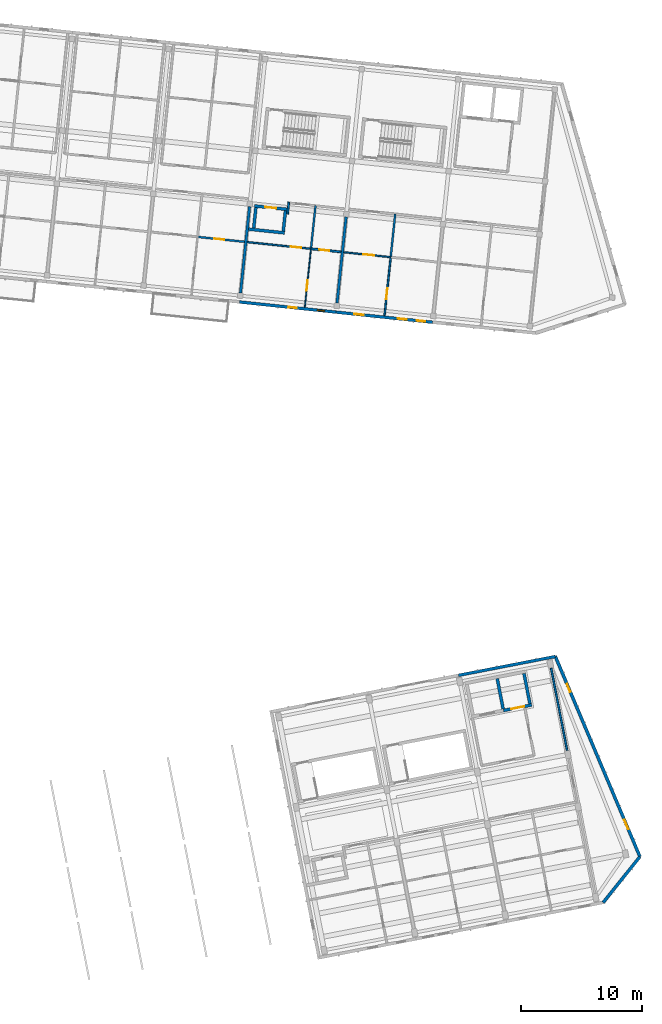
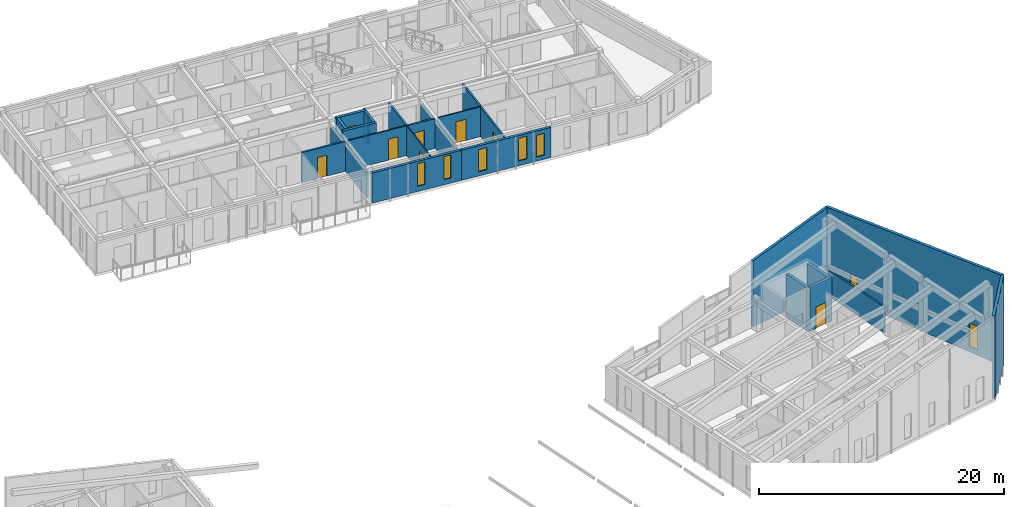
# One storey, part 31 of 56: 24 walls, 8 doors, 7 windows, 15 openings.
"""IFC4 building model written with IfcOpenShell, lengths in metres."""

from ifc_helpers import new_model, si_unit, direction, frame, frame_2d, origin, place, context, subcontext, project, spatial, polyline, rectangle, outline, extrude, material, layer, layer_set, type_object, element, fill, save


model = new_model("IFC4")

# Units and contexts
model_context = context("Model", 3, precision=1e-05, world=origin(), true_north=direction((0.0, 1.0)))
body_context = subcontext(model_context, "Body", "Model", "MODEL_VIEW")
ifc_project = project(units=[si_unit("LENGTHUNIT", "METRE"), si_unit("AREAUNIT", "SQUARE_METRE"), si_unit("VOLUMEUNIT", "CUBIC_METRE"), si_unit("PLANEANGLEUNIT", "RADIAN"), si_unit("MASSUNIT", "GRAM", prefix="KILO")], contexts=[model_context])

# Site, building, storey
site_placement = place(None, origin())
site = spatial("IfcSite", under=ifc_project, at=site_placement, CompositionType="ELEMENT")
building_placement = place(site_placement, origin())
building = spatial("IfcBuilding", under=site, at=building_placement, Name="Kestramere Prow Commons", CompositionType="ELEMENT")
storey_placement = place(building_placement, frame((0.0, 0.0, 27.89990234375)))
storey = spatial("IfcBuildingStorey", under=building, at=storey_placement, Name="L08", CompositionType="ELEMENT", Elevation=27.89990234375)

# Wall, openings, windows
ifc_material_1 = material(Name="Weathered Zinc-Titanium Standing-Seam Cladding")
ifc_layer_1 = layer(ifc_material_1, 0.260009765625)
ifc_layer_set_1 = layer_set([ifc_layer_1], Name="Weathered Zinc-Titanium Standing-Seam Cladding")
wall_type_1 = type_object("IfcWallType", Name="EW-PROW-260", PredefinedType="SOLIDWALL", material=ifc_layer_set_1)
wall_1_placement = place(storey_placement, frame((159.83740234375, 62.556396484375, 0.0), z_axis=(0.0, 0.0, 1.0), x_axis=(0.389225507936, -0.921142499276, 0.0)))
wall_1 = element("IfcWall", 1, at=wall_1_placement, inside=storey, type_object=wall_type_1, Name="Block D L08 PRW-N Facet Wall", PredefinedType="SOLIDWALL", context=body_context, shape_type="SweptSolid", body=[
    extrude(outline(polyline([(0.0, 0.0), (17.910400390625, 0.0), (17.910400390625, 9.006103515625), (0.0, 8.2412109375), (0.0, 0.0)])), frame((0.0, 0.1298828125, 0.0), z_axis=(0.0, -1.0, 0.0), x_axis=(1.0, 0.0, 0.0)), (0.0, 0.0, 1.0), 0.260009765625),
])
opening_1_placement = place(wall_1_placement, frame((2.449951171875, 0.0, 0.449951171875)))
opening_1 = element("IfcOpeningElement", 2, at=opening_1_placement, cuts=wall_1, Name="Opening WN-08", PredefinedType="OPENING", context=body_context, shape_type="SweptSolid", body=[
    extrude(rectangle(XDim=0.719970703125, YDim=2.159912109375, at=frame_2d((0.35986328125, 1.080078125))), frame((0.0, 0.14501953125, 0.0), z_axis=(0.0, -1.0, 0.0), x_axis=(1.0, 0.0, 0.0)), (0.0, 0.0, 1.0), 0.2900390625),
])
opening_2_placement = place(wall_1_placement, frame((14.600341796875, 0.0, 0.52001953125)))
opening_2 = element("IfcOpeningElement", 3, at=opening_2_placement, cuts=wall_1, Name="Opening WN-15", PredefinedType="OPENING", context=body_context, shape_type="SweptSolid", body=[
    extrude(rectangle(XDim=0.860107421875, YDim=2.360107421875, at=frame_2d((0.43017578125, 1.18017578125))), frame((0.0, 0.14501953125, 0.0), z_axis=(0.0, -1.0, 0.0), x_axis=(1.0, 0.0, 0.0)), (0.0, 0.0, 1.0), 0.2900390625),
])
ifc_material_2 = material(Name="Low-E Laminated Double Glazing", Category="glass")
window_type_1 = type_object("IfcWindowType", Name="WN-NAR-720A", PartitioningType="SINGLE_PANEL", PredefinedType="WINDOW", material=ifc_material_2)
window_1_placement = place(opening_1_placement, origin())
window_1 = element("IfcWindow", 4, at=window_1_placement, inside=storey, type_object=window_type_1, Name="WN-D-L08-PRW-N-0", OverallHeight=2.159912109375, OverallWidth=0.719970703125, PartitioningType="SINGLE_PANEL", PredefinedType="WINDOW", context=body_context, shape_type="SweptSolid", body=[
    extrude(rectangle(XDim=0.719970703125, YDim=2.159912109375, at=frame_2d((0.35986328125, 1.080078125))), frame((0.0, 0.030029296875, 0.0), z_axis=(0.0, -1.0, 0.0), x_axis=(1.0, 0.0, 0.0)), (0.0, 0.0, 1.0), 0.06005859375),
])
fill(opening_1, window_1)
window_type_2 = type_object("IfcWindowType", Name="WN-NAR-860A", PartitioningType="DOUBLE_PANEL_VERTICAL", PredefinedType="WINDOW", material=ifc_material_2)
window_2_placement = place(opening_2_placement, origin())
window_2 = element("IfcWindow", 5, at=window_2_placement, inside=storey, type_object=window_type_2, Name="WN-D-L08-PRW-N-1", OverallHeight=2.360107421875, OverallWidth=0.860107421875, PartitioningType="SINGLE_PANEL", PredefinedType="WINDOW", context=body_context, shape_type="SweptSolid", body=[
    extrude(rectangle(XDim=0.860107421875, YDim=2.360107421875, at=frame_2d((0.43017578125, 1.18017578125))), frame((0.0, 0.030029296875, 0.0), z_axis=(0.0, -1.0, 0.0), x_axis=(1.0, 0.0, 0.0)), (0.0, 0.0, 1.0), 0.06005859375),
])
fill(opening_2, window_2)

# Wall
wall_2_placement = place(storey_placement, frame((166.80859375, 46.058349609375, 0.0), z_axis=(0.0, 0.0, 1.0), x_axis=(-0.626281072923, -0.779597343312, 0.0)))
element("IfcWall", 6, at=wall_2_placement, inside=storey, type_object=wall_type_1, Name="Block D L08 PRW-S Facet Wall", PredefinedType="SOLIDWALL", context=body_context, shape_type="SweptSolid", body=[
    extrude(outline(polyline([(0.0, 0.0), (4.83935546875, 0.0), (4.83935546875, 8.2412109375), (0.0, 9.006103515625), (0.0, 0.0)])), frame((0.0, 0.1298828125, 0.0), z_axis=(0.0, -1.0, 0.0), x_axis=(1.0, 0.0, 0.0)), (0.0, 0.0, 1.0), 0.260009765625),
])

# Wall, openings, windows
ifc_material_3 = material(Name="Fluoropolymer Standing-Seam Zinc-Aluminium Cladding", Category="aluminium")
ifc_layer_2 = layer(ifc_material_3, 0.239990234375)
ifc_layer_set_2 = layer_set([ifc_layer_2], Name="Fluoropolymer Standing-Seam Zinc-Aluminium Cladding")
wall_type_2 = type_object("IfcWallType", Name="EW-SEAM-240", PredefinedType="SOLIDWALL", material=ifc_layer_set_2)
wall_3_placement = place(storey_placement, frame((141.769775390625, 90.932861328125, 0.0), z_axis=(0.0, 0.0, 1.0), x_axis=(-0.994519156568, 0.104554517933, 0.0)))
wall_3 = element("IfcWall", 7, at=wall_3_placement, inside=storey, type_object=wall_type_2, Name="Block B L08 South Standing-Seam Wall 4", PredefinedType="SOLIDWALL", context=body_context, shape_type="SweptSolid", body=[
    extrude(rectangle(XDim=8.0, YDim=0.239990234375, at=frame_2d((4.0, 0.0))), origin(), (0.0, 0.0, 1.0), 3.0),
])
opening_3_placement = place(wall_3_placement, frame((0.943603515625, 0.0, 0.52001953125)))
opening_3 = element("IfcOpeningElement", 8, at=opening_3_placement, cuts=wall_3, Name="Opening WN-03", PredefinedType="OPENING", context=body_context, shape_type="SweptSolid", body=[
    extrude(rectangle(XDim=0.6201171875, YDim=2.280029296875, at=frame_2d((0.31005859375, 1.14013671875))), frame((0.0, 0.135009765625, 0.0), z_axis=(0.0, -1.0, 0.0), x_axis=(1.0, 0.0, 0.0)), (0.0, 0.0, 1.0), 0.27001953125),
])
opening_4_placement = place(wall_3_placement, frame((3.26171875, 0.0, 0.52001953125)))
opening_4 = element("IfcOpeningElement", 9, at=opening_4_placement, cuts=wall_3, Name="Opening WN-06", PredefinedType="OPENING", context=body_context, shape_type="SweptSolid", body=[
    extrude(rectangle(XDim=0.679931640625, YDim=2.239990234375, at=frame_2d((0.33984375, 1.1201171875))), frame((0.0, 0.135009765625, 0.0), z_axis=(0.0, -1.0, 0.0), x_axis=(1.0, 0.0, 0.0)), (0.0, 0.0, 1.0), 0.27001953125),
])
window_type_3 = type_object("IfcWindowType", Name="WN-NAR-620A", PartitioningType="SINGLE_PANEL", PredefinedType="WINDOW", material=ifc_material_2)
window_3_placement = place(opening_3_placement, origin())
window_3 = element("IfcWindow", 10, at=window_3_placement, inside=storey, type_object=window_type_3, Name="WN-B-L08-S-3-00", OverallHeight=2.280029296875, OverallWidth=0.6201171875, PartitioningType="SINGLE_PANEL", PredefinedType="WINDOW", context=body_context, shape_type="SweptSolid", body=[
    extrude(rectangle(XDim=0.6201171875, YDim=2.280029296875, at=frame_2d((0.31005859375, 1.14013671875))), frame((0.0, 0.030029296875, 0.0), z_axis=(0.0, -1.0, 0.0), x_axis=(1.0, 0.0, 0.0)), (0.0, 0.0, 1.0), 0.06005859375),
])
fill(opening_3, window_3)
window_type_4 = type_object("IfcWindowType", Name="WN-NAR-680A", PartitioningType="SINGLE_PANEL", PredefinedType="WINDOW", material=ifc_material_2)
window_4_placement = place(opening_4_placement, origin())
window_4 = element("IfcWindow", 11, at=window_4_placement, inside=storey, type_object=window_type_4, Name="WN-B-L08-S-3-10", OverallHeight=2.239990234375, OverallWidth=0.679931640625, PartitioningType="SINGLE_PANEL", PredefinedType="WINDOW", context=body_context, shape_type="SweptSolid", body=[
    extrude(rectangle(XDim=0.679931640625, YDim=2.239990234375, at=frame_2d((0.33984375, 1.1201171875))), frame((0.0, 0.030029296875, 0.0), z_axis=(0.0, -1.0, 0.0), x_axis=(1.0, 0.0, 0.0)), (0.0, 0.0, 1.0), 0.06005859375),
])
fill(opening_4, window_4)

wall_4_placement = place(storey_placement, frame((149.72607421875, 90.0966796875, 0.0), z_axis=(0.0, 0.0, 1.0), x_axis=(-0.994522662826, 0.104521161134, 0.0)))
wall_4 = element("IfcWall", 12, at=wall_4_placement, inside=storey, type_object=wall_type_2, Name="Block B L08 South Standing-Seam Wall 5", PredefinedType="SOLIDWALL", context=body_context, shape_type="SweptSolid", body=[
    extrude(rectangle(XDim=8.0, YDim=0.239990234375, at=frame_2d((4.0, 0.0))), origin(), (0.0, 0.0, 1.0), 3.0),
])
opening_5_placement = place(wall_4_placement, frame((0.610107421875, 0.0, 0.419921875)))
opening_5 = element("IfcOpeningElement", 13, at=opening_5_placement, cuts=wall_4, Name="Opening WN-08", PredefinedType="OPENING", context=body_context, shape_type="SweptSolid", body=[
    extrude(rectangle(XDim=0.719970703125, YDim=2.159912109375, at=frame_2d((0.35986328125, 1.080078125))), frame((0.0, 0.135009765625, 0.0), z_axis=(0.0, -1.0, 0.0), x_axis=(1.0, 0.0, 0.0)), (0.0, 0.0, 1.0), 0.27001953125),
])
opening_6_placement = place(wall_4_placement, frame((2.159912109375, 0.0, 0.47998046875)))
opening_6 = element("IfcOpeningElement", 14, at=opening_6_placement, cuts=wall_4, Name="Opening WN-09", PredefinedType="OPENING", context=body_context, shape_type="SweptSolid", body=[
    extrude(rectangle(XDim=0.739990234375, YDim=2.260009765625, at=frame_2d((0.3701171875, 1.1298828125))), frame((0.0, 0.135009765625, 0.0), z_axis=(0.0, -1.0, 0.0), x_axis=(1.0, 0.0, 0.0)), (0.0, 0.0, 1.0), 0.27001953125),
])
opening_7_placement = place(wall_4_placement, frame((5.724609375, 0.0, 0.419921875)))
opening_7 = element("IfcOpeningElement", 15, at=opening_7_placement, cuts=wall_4, Name="Opening WN-11", PredefinedType="OPENING", context=body_context, shape_type="SweptSolid", body=[
    extrude(rectangle(XDim=0.780029296875, YDim=2.199951171875, at=frame_2d((0.39013671875, 1.10009765625))), frame((0.0, 0.135009765625, 0.0), z_axis=(0.0, -1.0, 0.0), x_axis=(1.0, 0.0, 0.0)), (0.0, 0.0, 1.0), 0.27001953125),
])
window_5_placement = place(opening_5_placement, origin())
window_5 = element("IfcWindow", 16, at=window_5_placement, inside=storey, type_object=window_type_1, Name="WN-B-L08-S-4-00", OverallHeight=2.159912109375, OverallWidth=0.719970703125, PartitioningType="SINGLE_PANEL", PredefinedType="WINDOW", context=body_context, shape_type="SweptSolid", body=[
    extrude(rectangle(XDim=0.719970703125, YDim=2.159912109375, at=frame_2d((0.35986328125, 1.080078125))), frame((0.0, 0.030029296875, 0.0), z_axis=(0.0, -1.0, 0.0), x_axis=(1.0, 0.0, 0.0)), (0.0, 0.0, 1.0), 0.06005859375),
])
fill(opening_5, window_5)
window_type_5 = type_object("IfcWindowType", Name="WN-NAR-740A", PartitioningType="SINGLE_PANEL", PredefinedType="WINDOW", material=ifc_material_2)
window_6_placement = place(opening_6_placement, origin())
window_6 = element("IfcWindow", 17, at=window_6_placement, inside=storey, type_object=window_type_5, Name="WN-B-L08-S-4-01", OverallHeight=2.260009765625, OverallWidth=0.739990234375, PartitioningType="SINGLE_PANEL", PredefinedType="WINDOW", context=body_context, shape_type="SweptSolid", body=[
    extrude(rectangle(XDim=0.739990234375, YDim=2.260009765625, at=frame_2d((0.3701171875, 1.1298828125))), frame((0.0, 0.030029296875, 0.0), z_axis=(0.0, -1.0, 0.0), x_axis=(1.0, 0.0, 0.0)), (0.0, 0.0, 1.0), 0.06005859375),
])
fill(opening_6, window_6)
window_type_6 = type_object("IfcWindowType", Name="WN-NAR-780A", PartitioningType="SINGLE_PANEL", PredefinedType="WINDOW", material=ifc_material_2)
window_7_placement = place(opening_7_placement, origin())
window_7 = element("IfcWindow", 18, at=window_7_placement, inside=storey, type_object=window_type_6, Name="WN-B-L08-S-4-10", OverallHeight=2.199951171875, OverallWidth=0.780029296875, PartitioningType="SINGLE_PANEL", PredefinedType="WINDOW", context=body_context, shape_type="SweptSolid", body=[
    extrude(rectangle(XDim=0.780029296875, YDim=2.199951171875, at=frame_2d((0.39013671875, 1.10009765625))), frame((0.0, 0.030029296875, 0.0), z_axis=(0.0, -1.0, 0.0), x_axis=(1.0, 0.0, 0.0)), (0.0, 0.0, 1.0), 0.06005859375),
])
fill(opening_7, window_7)

# Wall
wall_5_placement = place(storey_placement, frame((151.86181640625, 61.006103515625, 0.0), z_axis=(0.0, 0.0, 1.0), x_axis=(0.981627273155, 0.190808533872, 0.0)))
element("IfcWall", 19, at=wall_5_placement, inside=storey, type_object=wall_type_2, Name="Block D L08 North Standing-Seam Wall 6", PredefinedType="SOLIDWALL", context=body_context, shape_type="SweptSolid", body=[
    extrude(outline(polyline([(0.0, 0.0), (8.124755859375, 0.0), (8.125, 8.2412109375), (0.0, 6.5595703125), (0.0, 0.0)])), frame((0.0, 0.1201171875, 0.0), z_axis=(0.0, -1.0, 0.0), x_axis=(1.0, 0.0, 0.0)), (0.0, 0.0, 1.0), 0.239990234375),
])

# Wall, opening, door
ifc_material_4 = material(Name="Concrete C40/50", Category="concrete")
ifc_layer_3 = layer(ifc_material_4, 0.25)
ifc_layer_set_3 = layer_set([ifc_layer_3], Name="Concrete C40/50")
wall_type_3 = type_object("IfcWallType", Name="W-CORE-250", PredefinedType="SHEAR", material=ifc_layer_set_3)
wall_6_placement = place(storey_placement, frame((155.5576171875, 58.10791015625, 0.0), z_axis=(0.0, 0.0, 1.0), x_axis=(0.981633573872, 0.190776116556, 0.0)))
wall_6 = element("IfcWall", 20, at=wall_6_placement, inside=storey, type_object=wall_type_3, Name="Block D L08 Passenger Lift Shaft Front Wall", PredefinedType="SHEAR", context=body_context, shape_type="SweptSolid", body=[
    extrude(rectangle(XDim=2.375244140625, YDim=0.25, at=frame_2d((1.1875, 0.0))), origin(), (0.0, 0.0, 1.0), 4.35009765625),
])
opening_8_placement = place(wall_6_placement, frame((0.64990234375, 0.0, 0.0)))
opening_8 = element("IfcOpeningElement", 21, at=opening_8_placement, cuts=wall_6, Name="Opening LD-01", PredefinedType="OPENING", context=body_context, shape_type="SweptSolid", body=[
    extrude(rectangle(XDim=1.10009765625, YDim=2.14990234375, at=frame_2d((0.550048828125, 1.074951171875))), frame((0.0, 0.139892578125, 0.0), z_axis=(0.0, -1.0, 0.0), x_axis=(1.0, 0.0, 0.0)), (0.0, 0.0, 1.0), 0.280029296875),
])
ifc_material_5 = material(Name="Brushed Stainless Steel 304", Category="steel")
door_type_1 = type_object("IfcDoorType", Name="LD-01", OperationType="DOUBLE_DOOR_SLIDING", PredefinedType="DOOR", material=ifc_material_5)
door_1_placement = place(opening_8_placement, origin())
door_1 = element("IfcDoor", 22, at=door_1_placement, inside=storey, type_object=door_type_1, Name="PL-D2 L08 Lift Landing Door", OperationType="DOUBLE_DOOR_SLIDING", OverallHeight=2.14990234375, OverallWidth=1.10009765625, PredefinedType="DOOR", context=body_context, shape_type="SweptSolid", body=[
    extrude(rectangle(XDim=1.10009765625, YDim=2.14990234375, at=frame_2d((0.550048828125, 1.074951171875))), frame((0.0, 0.02490234375, 0.0), z_axis=(0.0, -1.0, 0.0), x_axis=(1.0, 0.0, 0.0)), (0.0, 0.0, 1.0), 0.050048828125),
])
fill(opening_8, door_1)

# Walls
for number, where, z_axis, x_axis, name in (
    (23, (155.533935546875, 58.230712890625, 0.0), (0.0, 0.0, 1.0), (-0.190810719655, 0.98162684828, 0.0), "Block D L08 Lift Core Side Wall M"),
    (24, (157.742431640625, 58.659912109375, 0.0), (0.0, 0.0, 1.0), (-0.190810719655, 0.98162684828, 0.0), "Block D L08 Lift Core Side Wall R"),
):
    element("IfcWall", number, at=place(storey_placement, frame(where, z_axis=z_axis, x_axis=x_axis)), inside=storey, type_object=wall_type_3, Name=name, PredefinedType="SHEAR", context=body_context, shape_type="SweptSolid", body=[
        extrude(rectangle(XDim=2.550048828125, YDim=0.25, at=frame_2d((1.27490234375, 0.0))), origin(), (0.0, 0.0, 1.0), 4.35009765625),
    ])
ifc_material_6 = material(Name="Fire-Rated Calcium Silicate Wall")
ifc_layer_4 = layer(ifc_material_6, 0.155029296875)
ifc_layer_set_4 = layer_set([ifc_layer_4], Name="Fire-Rated Calcium Silicate Wall")
wall_type_4 = type_object("IfcWallType", Name="W-FIRE-150", PredefinedType="PARTITIONING", material=ifc_layer_set_4)
wall_7_placement = place(storey_placement, frame((137.773193359375, 99.02001953125, 0.0), z_axis=(0.0, 0.0, 1.0), x_axis=(0.104531505358, 0.994521575627, 0.0)))
element("IfcWall", 25, at=wall_7_placement, inside=storey, type_object=wall_type_4, Name="Interior Partition PW-B-L08-HS-CLOSER", PredefinedType="PARTITIONING", context=body_context, shape_type="SweptSolid", body=[
    extrude(rectangle(XDim=0.994873046875, YDim=0.155029296875, at=frame_2d((0.49755859375, 0.0))), origin(), (0.0, 0.0, 1.0), 2.97021484375),
])
ifc_layer_5 = layer(ifc_material_4, 0.25)
ifc_layer_set_5 = layer_set([ifc_layer_5], Name="Concrete C40/50")
wall_type_5 = type_object("IfcWallType", Name="W-HS-250", PredefinedType="SHEAR", material=ifc_layer_set_5)
wall_8_placement = place(storey_placement, frame((134.555419921875, 97.774658203125, 0.0), z_axis=(0.0, 0.0, 1.0), x_axis=(0.994514844427, -0.104595526741, 0.0)))
element("IfcWall", 26, at=wall_8_placement, inside=storey, type_object=wall_type_5, Name="Block B L08 Household Shelter South Wall", PredefinedType="SHEAR", context=body_context, shape_type="SweptSolid", body=[
    extrude(rectangle(XDim=2.989990234375, YDim=0.25, at=frame_2d((1.4951171875, 0.0))), origin(), (0.0, 0.0, 1.0), 3.25),
])

# Wall, opening, door
wall_9_placement = place(storey_placement, frame((135.047607421875, 99.68359375, 0.0), z_axis=(0.0, 0.0, 1.0), x_axis=(0.994522285292, -0.104524753323, 0.0)))
wall_9 = element("IfcWall", 27, at=wall_9_placement, inside=storey, type_object=wall_type_5, Name="Block B L08 Household Shelter North Wall", PredefinedType="SHEAR", context=body_context, shape_type="SweptSolid", body=[
    extrude(rectangle(XDim=2.7001953125, YDim=0.25, at=frame_2d((1.35009765625, 0.0))), origin(), (0.0, 0.0, 1.0), 3.25),
])
opening_9_placement = place(wall_9_placement, frame((0.89990234375, 0.0, 0.0)))
opening_9 = element("IfcOpeningElement", 28, at=opening_9_placement, cuts=wall_9, Name="Opening ID-06", PredefinedType="OPENING", context=body_context, shape_type="SweptSolid", body=[
    extrude(rectangle(XDim=0.89990234375, YDim=2.050048828125, at=frame_2d((0.449951171875, 1.02490234375))), frame((0.0, 0.139892578125, 0.0), z_axis=(0.0, -1.0, 0.0), x_axis=(1.0, 0.0, 0.0)), (0.0, 0.0, 1.0), 0.280029296875),
])
ifc_material_7 = material(Name="Galvanised Steel S275JR Household Shelter Door", Category="steel")
door_type_2 = type_object("IfcDoorType", Name="FD-HS-01", OperationType="NOTDEFINED", PredefinedType="DOOR", material=ifc_material_7)
door_2_placement = place(opening_9_placement, origin())
door_2 = element("IfcDoor", 29, at=door_2_placement, inside=storey, type_object=door_type_2, Name="Block B L08 Household Shelter Blast Door", OperationType="SINGLE_SWING_RIGHT", OverallHeight=2.050048828125, OverallWidth=0.89990234375, PredefinedType="DOOR", context=body_context, shape_type="SweptSolid", body=[
    extrude(rectangle(XDim=0.89990234375, YDim=2.050048828125, at=frame_2d((0.449951171875, 1.02490234375))), frame((0.0, 0.02490234375, 0.0), z_axis=(0.0, -1.0, 0.0), x_axis=(1.0, 0.0, 0.0)), (0.0, 0.0, 1.0), 0.050048828125),
])
fill(opening_9, door_2)

# Walls
for number, where, z_axis, x_axis, name in (
    (30, (134.981201171875, 97.85546875, 0.0), (0.0, 0.0, 1.0), (0.104550220202, 0.994519608382, 0.0), "Block B L08 Household Shelter W Wall"),
    (31, (137.417724609375, 97.599365234375, 0.0), (0.0, 0.0, 1.0), (0.104550220202, 0.994519608382, 0.0), "Block B L08 Household Shelter E Wall"),
):
    element("IfcWall", number, at=place(storey_placement, frame(where, z_axis=z_axis, x_axis=x_axis)), inside=storey, type_object=wall_type_5, Name=name, PredefinedType="SHEAR", context=body_context, shape_type="SweptSolid", body=[
        extrude(rectangle(XDim=1.699951171875, YDim=0.25, at=frame_2d((0.85009765625, 0.0))), origin(), (0.0, 0.0, 1.0), 3.25),
    ])

# Wall, opening, door
ifc_material_8 = material(Name="Lightweight Blockwork and Plaster", Category="masonry")
ifc_layer_6 = layer(ifc_material_8, 0.1201171875)
ifc_layer_set_6 = layer_set([ifc_layer_6], Name="Lightweight Blockwork and Plaster")
wall_type_6 = type_object("IfcWallType", Name="W-PART-120", PredefinedType="PARTITIONING", material=ifc_layer_set_6)
wall_10_placement = place(storey_placement, frame((142.404296875, 95.86865234375, 0.0), z_axis=(0.0, 0.0, 1.0), x_axis=(0.994523688713, -0.104511399326, 0.0)))
wall_10 = element("IfcWall", 32, at=wall_10_placement, inside=storey, type_object=wall_type_6, Name="Interior Partition PW-B-L08-MIDS1-4", PredefinedType="PARTITIONING", context=body_context, shape_type="SweptSolid", body=[
    extrude(rectangle(XDim=3.884765625, YDim=0.1201171875, at=frame_2d((1.9423828125, 0.0))), origin(), (0.0, 0.0, 1.0), 2.97021484375),
])
opening_10_placement = place(wall_10_placement, frame((1.625, 0.0, 0.0)))
opening_10 = element("IfcOpeningElement", 33, at=opening_10_placement, cuts=wall_10, Name="Opening ID-08", PredefinedType="OPENING", context=body_context, shape_type="SweptSolid", body=[
    extrude(rectangle(XDim=0.89990234375, YDim=2.10009765625, at=frame_2d((0.449951171875, 1.050048828125))), frame((0.0, 0.074951171875, 0.0), z_axis=(0.0, -1.0, 0.0), x_axis=(1.0, 0.0, 0.0)), (0.0, 0.0, 1.0), 0.150146484375),
])
ifc_material_9 = material(Name="Engineered Timber Flush Door", Category="wood")
door_type_3 = type_object("IfcDoorType", Name="D-RM-01", OperationType="NOTDEFINED", PredefinedType="DOOR", material=ifc_material_9)
door_3_placement = place(opening_10_placement, origin())
door_3 = element("IfcDoor", 34, at=door_3_placement, inside=storey, type_object=door_type_3, Name="Interior Door DR-B-L08-KL-S4", OperationType="SINGLE_SWING_RIGHT", OverallHeight=2.10009765625, OverallWidth=0.89990234375, PredefinedType="DOOR", context=body_context, shape_type="SweptSolid", body=[
    extrude(rectangle(XDim=0.89990234375, YDim=2.10009765625, at=frame_2d((0.449951171875, 1.050048828125))), frame((0.0, 0.02490234375, 0.0), z_axis=(0.0, -1.0, 0.0), x_axis=(1.0, 0.0, 0.0)), (0.0, 0.0, 1.0), 0.050048828125),
])
fill(opening_10, door_3)

ifc_layer_7 = layer(ifc_material_8, 0.1298828125)
ifc_layer_set_7 = layer_set([ifc_layer_7], Name="Lightweight Blockwork and Plaster")
wall_type_7 = type_object("IfcWallType", Name="W-PART-130", PredefinedType="PARTITIONING", material=ifc_layer_set_7)
wall_11_placement = place(storey_placement, frame((134.447998046875, 96.704833984375, 0.0), z_axis=(0.0, 0.0, 1.0), x_axis=(0.994525197038, -0.104497045205, 0.0)))
wall_11 = element("IfcWall", 35, at=wall_11_placement, inside=storey, type_object=wall_type_7, Name="Interior Partition PW-B-L08-MIDS1-3", PredefinedType="PARTITIONING", context=body_context, shape_type="SweptSolid", body=[
    extrude(rectangle(XDim=5.280029296875, YDim=0.1298828125, at=frame_2d((2.64013671875, 0.0))), origin(), (0.0, 0.0, 1.0), 2.97021484375),
])
opening_11_placement = place(wall_11_placement, frame((3.594970703125, 0.0, 0.0)))
opening_11 = element("IfcOpeningElement", 36, at=opening_11_placement, cuts=wall_11, Name="Opening ID-10", PredefinedType="OPENING", context=body_context, shape_type="SweptSolid", body=[
    extrude(rectangle(XDim=0.8798828125, YDim=2.10009765625, at=frame_2d((0.43994140625, 1.050048828125))), frame((0.0, 0.079833984375, 0.0), z_axis=(0.0, -1.0, 0.0), x_axis=(1.0, 0.0, 0.0)), (0.0, 0.0, 1.0), 0.159912109375),
])
ifc_material_10 = material(Name="Engineered Timber Bedroom Door", Category="wood")
door_type_4 = type_object("IfcDoorType", Name="D-RM-03", OperationType="NOTDEFINED", PredefinedType="DOOR", material=ifc_material_10)
door_4_placement = place(opening_11_placement, origin())
door_4 = element("IfcDoor", 37, at=door_4_placement, inside=storey, type_object=door_type_4, Name="Interior Door DR-B-L08-KL-S3", OperationType="SINGLE_SWING_RIGHT", OverallHeight=2.10009765625, OverallWidth=0.8798828125, PredefinedType="DOOR", context=body_context, shape_type="SweptSolid", body=[
    extrude(rectangle(XDim=0.8798828125, YDim=2.10009765625, at=frame_2d((0.43994140625, 1.050048828125))), frame((0.0, 0.02490234375, 0.0), z_axis=(0.0, -1.0, 0.0), x_axis=(1.0, 0.0, 0.0)), (0.0, 0.0, 1.0), 0.050048828125),
])
fill(opening_11, door_4)

ifc_material_11 = material(Name="Masonry Compartment Wall", Category="masonry")
ifc_layer_8 = layer(ifc_material_11, 0.139892578125)
ifc_layer_set_8 = layer_set([ifc_layer_8], Name="Masonry Compartment Wall")
wall_type_8 = type_object("IfcWallType", Name="W-PART-140", PredefinedType="PARTITIONING", material=ifc_layer_set_8)
wall_12_placement = place(storey_placement, frame((145.761962890625, 90.649169921875, 0.0), z_axis=(0.0, 0.0, 1.0), x_axis=(0.104516733692, 0.994523128126, 0.0)))
wall_12 = element("IfcWall", 38, at=wall_12_placement, inside=storey, type_object=wall_type_8, Name="Interior Partition PW-B-L08-LB-S4", PredefinedType="PARTITIONING", context=body_context, shape_type="SweptSolid", body=[
    extrude(rectangle(XDim=4.840087890625, YDim=0.139892578125, at=frame_2d((2.419921875, 0.0))), origin(), (0.0, 0.0, 1.0), 2.97021484375),
])
opening_12_placement = place(wall_12_placement, frame((1.35009765625, 0.0, 0.0)))
opening_12 = element("IfcOpeningElement", 39, at=opening_12_placement, cuts=wall_12, Name="Opening ID-08", PredefinedType="OPENING", context=body_context, shape_type="SweptSolid", body=[
    extrude(rectangle(XDim=0.89990234375, YDim=2.10009765625, at=frame_2d((0.449951171875, 1.050048828125))), frame((0.0, 0.0849609375, 0.0), z_axis=(0.0, -1.0, 0.0), x_axis=(1.0, 0.0, 0.0)), (0.0, 0.0, 1.0), 0.169921875),
])
door_5_placement = place(opening_12_placement, origin())
door_5 = element("IfcDoor", 40, at=door_5_placement, inside=storey, type_object=door_type_3, Name="Interior Door DR-B-L08-BED-S4", OperationType="SINGLE_SWING_LEFT", OverallHeight=2.10009765625, OverallWidth=0.89990234375, PredefinedType="DOOR", context=body_context, shape_type="SweptSolid", body=[
    extrude(rectangle(XDim=0.89990234375, YDim=2.10009765625, at=frame_2d((0.449951171875, 1.050048828125))), frame((0.0, 0.02490234375, 0.0), z_axis=(0.0, -1.0, 0.0), x_axis=(1.0, 0.0, 0.0)), (0.0, 0.0, 1.0), 0.050048828125),
])
fill(opening_12, door_5)

# Wall
ifc_layer_9 = layer(ifc_material_11, 0.14990234375)
ifc_layer_set_9 = layer_set([ifc_layer_9], Name="Masonry Compartment Wall")
wall_type_9 = type_object("IfcWallType", Name="W-PART-150", PredefinedType="PARTITIONING", material=ifc_layer_set_9)
wall_13_placement = place(storey_placement, frame((160.80859375, 54.809326171875, 0.0), z_axis=(0.0, 0.0, 1.0), x_axis=(-0.190808365525, 0.981627305878, 0.0)))
element("IfcWall", 41, at=wall_13_placement, inside=storey, type_object=wall_type_9, Name="Interior Partition PW-D-L08-PRW-N", PredefinedType="PARTITIONING", context=body_context, shape_type="SweptSolid", body=[
    extrude(rectangle(XDim=6.9296875, YDim=0.14990234375, at=frame_2d((3.46484375, 0.0))), origin(), (0.0, 0.0, 1.0), 2.60009765625),
])

# Wall, opening, door
ifc_material_12 = material(Name="Gypsum Acoustic Drywall")
ifc_layer_10 = layer(ifc_material_12, 0.094970703125)
ifc_layer_set_10 = layer_set([ifc_layer_10], Name="Gypsum Acoustic Drywall")
wall_type_10 = type_object("IfcWallType", Name="W-PART-95", PredefinedType="PARTITIONING", material=ifc_layer_set_10)
wall_14_placement = place(storey_placement, frame((139.193115234375, 91.339599609375, 0.0), z_axis=(0.0, 0.0, 1.0), x_axis=(0.104566624716, 0.994517883698, 0.0)))
wall_14 = element("IfcWall", 42, at=wall_14_placement, inside=storey, type_object=wall_type_10, Name="Interior Partition PW-B-L08-LB-S3", PredefinedType="PARTITIONING", context=body_context, shape_type="SweptSolid", body=[
    extrude(rectangle(XDim=4.840087890625, YDim=0.094970703125, at=frame_2d((2.419921875, 0.0))), origin(), (0.0, 0.0, 1.0), 2.97021484375),
])
opening_13_placement = place(wall_14_placement, frame((1.35009765625, 0.0, 0.0)))
opening_13 = element("IfcOpeningElement", 43, at=opening_13_placement, cuts=wall_14, Name="Opening ID-08", PredefinedType="OPENING", context=body_context, shape_type="SweptSolid", body=[
    extrude(rectangle(XDim=0.89990234375, YDim=2.10009765625, at=frame_2d((0.449951171875, 1.050048828125))), frame((0.0, 0.0625, 0.0), z_axis=(0.0, -1.0, 0.0), x_axis=(1.0, 0.0, 0.0)), (0.0, 0.0, 1.0), 0.125),
])
door_6_placement = place(opening_13_placement, origin())
door_6 = element("IfcDoor", 44, at=door_6_placement, inside=storey, type_object=door_type_3, Name="Interior Door DR-B-L08-BED-S3", OperationType="SINGLE_SWING_RIGHT", OverallHeight=2.10009765625, OverallWidth=0.89990234375, PredefinedType="DOOR", context=body_context, shape_type="SweptSolid", body=[
    extrude(rectangle(XDim=0.89990234375, YDim=2.10009765625, at=frame_2d((0.449951171875, 1.050048828125))), frame((0.0, 0.02490234375, 0.0), z_axis=(0.0, -1.0, 0.0), x_axis=(1.0, 0.0, 0.0)), (0.0, 0.0, 1.0), 0.050048828125),
])
fill(opening_13, door_6)

ifc_material_13 = material(Name="Waterproof Sanitary Masonry Wall", Category="masonry")
ifc_layer_11 = layer(ifc_material_13, 0.1650390625)
ifc_layer_set_11 = layer_set([ifc_layer_11], Name="Waterproof Sanitary Masonry Wall")
wall_type_11 = type_object("IfcWallType", Name="W-PLUMB-150", PredefinedType="PLUMBINGWALL", material=ifc_layer_set_11)
wall_15_placement = place(storey_placement, frame((130.35546875, 97.135009765625, 0.0), z_axis=(0.0, 0.0, 1.0), x_axis=(0.994524375082, -0.104504867671, 0.0)))
wall_15 = element("IfcWall", 45, at=wall_15_placement, inside=storey, type_object=wall_type_11, Name="Interior Partition PW-B-L08-MIDS2-2", PredefinedType="PLUMBINGWALL", context=body_context, shape_type="SweptSolid", body=[
    extrude(rectangle(XDim=3.885009765625, YDim=0.1650390625, at=frame_2d((1.9423828125, 0.0))), origin(), (0.0, 0.0, 1.0), 2.97021484375),
])
opening_14_placement = place(wall_15_placement, frame((1.39990234375, 0.0, 0.0)))
opening_14 = element("IfcOpeningElement", 46, at=opening_14_placement, cuts=wall_15, Name="Opening ID-11", PredefinedType="OPENING", context=body_context, shape_type="SweptSolid", body=[
    extrude(rectangle(XDim=0.820068359375, YDim=2.080078125, at=frame_2d((0.41015625, 1.0400390625))), frame((0.0, 0.097412109375, 0.0), z_axis=(0.0, -1.0, 0.0), x_axis=(1.0, 0.0, 0.0)), (0.0, 0.0, 1.0), 0.195068359375),
])
ifc_material_14 = material(Name="Moisture-Resistant Timber Bathroom Door", Category="wood")
door_type_5 = type_object("IfcDoorType", Name="D-BT-01", OperationType="NOTDEFINED", PredefinedType="DOOR", material=ifc_material_14)
door_7_placement = place(opening_14_placement, origin())
door_7 = element("IfcDoor", 47, at=door_7_placement, inside=storey, type_object=door_type_5, Name="Interior Door DR-B-L08-BTH-S2", OperationType="SINGLE_SWING_LEFT", OverallHeight=2.080078125, OverallWidth=0.820068359375, PredefinedType="DOOR", context=body_context, shape_type="SweptSolid", body=[
    extrude(rectangle(XDim=0.820068359375, YDim=2.080078125, at=frame_2d((0.41015625, 1.0400390625))), frame((0.0, 0.02490234375, 0.0), z_axis=(0.0, -1.0, 0.0), x_axis=(1.0, 0.0, 0.0)), (0.0, 0.0, 1.0), 0.050048828125),
])
fill(opening_14, door_7)

wall_16_placement = place(storey_placement, frame((139.69921875, 96.153076171875, 0.0), z_axis=(0.0, 0.0, 1.0), x_axis=(0.994522631864, -0.10452145574, 0.0)))
wall_16 = element("IfcWall", 48, at=wall_16_placement, inside=storey, type_object=wall_type_11, Name="Interior Partition PW-B-L08-MIDS2-3", PredefinedType="PLUMBINGWALL", context=body_context, shape_type="SweptSolid", body=[
    extrude(rectangle(XDim=2.489990234375, YDim=0.1650390625, at=frame_2d((1.2451171875, 0.0))), origin(), (0.0, 0.0, 1.0), 2.97021484375),
])
opening_15_placement = place(wall_16_placement, frame((0.702880859375, 0.0, 0.0)))
opening_15 = element("IfcOpeningElement", 49, at=opening_15_placement, cuts=wall_16, Name="Opening ID-11", PredefinedType="OPENING", context=body_context, shape_type="SweptSolid", body=[
    extrude(rectangle(XDim=0.820068359375, YDim=2.080078125, at=frame_2d((0.41015625, 1.0400390625))), frame((0.0, 0.097412109375, 0.0), z_axis=(0.0, -1.0, 0.0), x_axis=(1.0, 0.0, 0.0)), (0.0, 0.0, 1.0), 0.195068359375),
])
door_8_placement = place(opening_15_placement, origin())
door_8 = element("IfcDoor", 50, at=door_8_placement, inside=storey, type_object=door_type_5, Name="Interior Door DR-B-L08-BTH-S3", OperationType="SINGLE_SWING_LEFT", OverallHeight=2.080078125, OverallWidth=0.820068359375, PredefinedType="DOOR", context=body_context, shape_type="SweptSolid", body=[
    extrude(rectangle(XDim=0.820068359375, YDim=2.080078125, at=frame_2d((0.41015625, 1.0400390625))), frame((0.0, 0.02490234375, 0.0), z_axis=(0.0, -1.0, 0.0), x_axis=(1.0, 0.0, 0.0)), (0.0, 0.0, 1.0), 0.050048828125),
])
fill(opening_15, door_8)

# Walls
for number, where, z_axis, x_axis, name in (
    (51, (139.69921875, 96.153076171875, 0.0), (0.0, 0.0, 1.0), (0.104499661737, 0.994524922109, 0.0), "Interior Partition PW-B-L08-KB-S3"),
    (52, (146.267822265625, 95.462646484375, 0.0), (0.0, 0.0, 1.0), (0.104567304014, 0.994517812275, 0.0), "Interior Partition PW-B-L08-KB-S4"),
):
    element("IfcWall", number, at=place(storey_placement, frame(where, z_axis=z_axis, x_axis=x_axis)), inside=storey, type_object=wall_type_11, Name=name, PredefinedType="PLUMBINGWALL", context=body_context, shape_type="SweptSolid", body=[
        extrude(rectangle(XDim=3.56982421875, YDim=0.1650390625, at=frame_2d((1.784912109375, 0.0))), origin(), (0.0, 0.0, 1.0), 2.97021484375),
    ])
ifc_material_15 = material(Name="Precast concrete C40/50", Category="concrete")
ifc_layer_12 = layer(ifc_material_15, 0.219970703125)
ifc_layer_set_12 = layer_set([ifc_layer_12], Name="Precast concrete C40/50")
wall_type_12 = type_object("IfcWallType", Name="W-XWALL-220", PredefinedType="SHEAR", material=ifc_layer_set_12)
wall_17_placement = place(storey_placement, frame((133.89208984375, 92.51513671875, 0.0), z_axis=(0.0, 0.0, 1.0), x_axis=(0.104519481265, 0.994522839374, 0.0)))
element("IfcWall", 53, at=wall_17_placement, inside=storey, type_object=wall_type_12, Name="Block B L08 Precast Cross-Wall 3", PredefinedType="SHEAR", context=body_context, shape_type="SweptSolid", body=[
    extrude(rectangle(XDim=7.14990234375, YDim=0.219970703125, at=frame_2d((3.574951171875, 0.0))), origin(), (0.0, 0.0, 1.0), 2.5),
])
wall_18_placement = place(storey_placement, frame((141.84814453125, 91.678955078125, 0.0), z_axis=(0.0, 0.0, 1.0), x_axis=(0.104553253602, 0.994519289487, 0.0)))
element("IfcWall", 54, at=wall_18_placement, inside=storey, type_object=wall_type_12, Name="Block B L08 Precast Cross-Wall 4", PredefinedType="SHEAR", context=body_context, shape_type="SweptSolid", body=[
    extrude(rectangle(XDim=7.150146484375, YDim=0.219970703125, at=frame_2d((3.5751953125, 0.0))), origin(), (0.0, 0.0, 1.0), 2.5),
])

save(model, "model.ifc")
